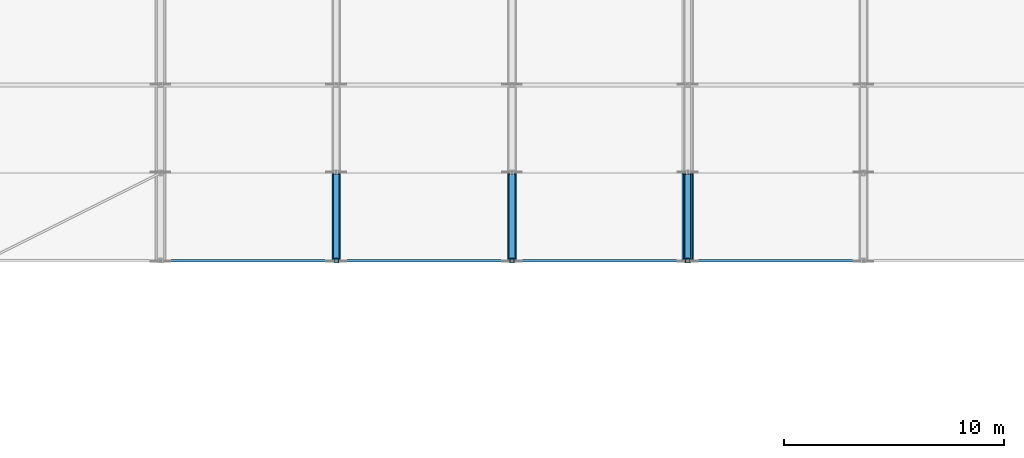
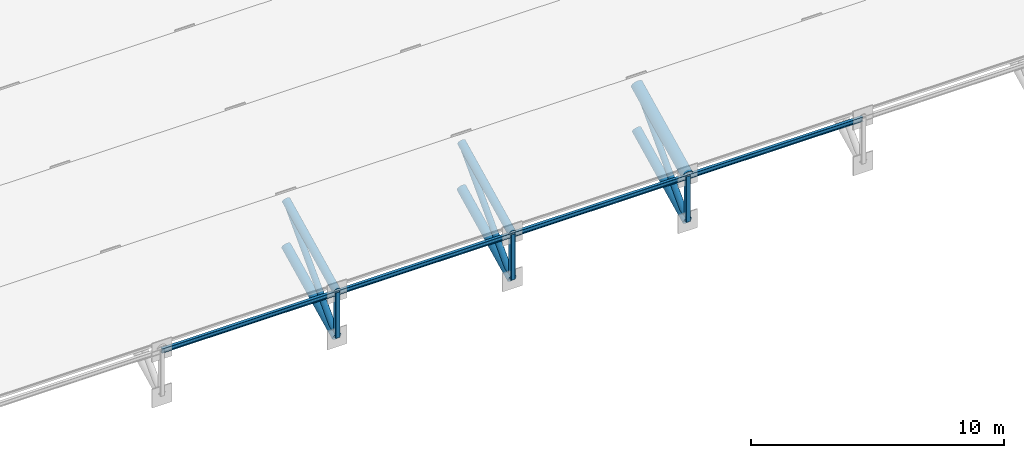
# One storey, part 6 of 98: 16 members.
"""IFC4 building model written with IfcOpenShell, lengths in metres."""

from ifc_helpers import new_model, si_unit, direction, frame, origin, origin_2d, place, context, subcontext, project, spatial, hollow_rectangle, hollow_circle, i_section, extrude, material, material_profile, profile_set, type_object, element, save


model = new_model("IFC4")

# Units and contexts
model_context = context("Model", 3, precision=1e-05, world=origin(), true_north=direction((0.0, 1.0)))
body_context = subcontext(model_context, "Body", "Model", "MODEL_VIEW")
ifc_project = project(units=[si_unit("LENGTHUNIT", "METRE"), si_unit("AREAUNIT", "SQUARE_METRE"), si_unit("VOLUMEUNIT", "CUBIC_METRE"), si_unit("PLANEANGLEUNIT", "RADIAN"), si_unit("MASSUNIT", "GRAM", prefix="KILO")], contexts=[model_context])

# Site, building, storey
site_placement = place(None, origin())
site = spatial("IfcSite", under=ifc_project, at=site_placement, CompositionType="ELEMENT")
building_placement = place(site_placement, origin())
building = spatial("IfcBuilding", under=site, at=building_placement, Name="Tlacozan Convention Centre", CompositionType="ELEMENT")
storey_placement = place(building_placement, frame((0.0, 0.0, 25.800048828125)))
storey = spatial("IfcBuildingStorey", under=building, at=storey_placement, Name="Roof", CompositionType="ELEMENT", Elevation=25.800048828125)

# Members
ifc_material_1 = material(Name="Steel ASTM A500 Grade C", Category="steel")
ifc_material_profile_1 = material_profile(ifc_material_1, hollow_circle(Radius=0.203125, WallThickness=0.015869140625, at=origin_2d()), Name="OC 406.4x15.9")
ifc_profile_set_1 = profile_set([ifc_material_profile_1], Name="Steel ASTM A500 Grade C")
member_type_1 = type_object("IfcMemberType", Name="Arch Bottom Chord OC 406.4x15.9", PredefinedType="CHORD", material=ifc_profile_set_1)
for number, where, z_axis, x_axis, name in (
    (1, (104.0, 62.0, -12.800048828125), (0.0, 0.897300183135, 0.441420866459), (-1.0, 0.0, 0.0), "V2A Roof Truss 14 Bottom Chord 1"),
    (2, (112.0, 62.0, -12.800048828125), (0.0, 0.897300183135, 0.441420866459), (-1.0, 0.0, 0.0), "V2A Roof Truss 15 Bottom Chord 1"),
    (3, (120.0, 62.0, -12.800048828125), (0.0, 0.897300183135, 0.441420866459), (-1.0, 0.0, 0.0), "V2A Roof Truss 16 Bottom Chord 1"),
):
    element("IfcMember", number, at=place(storey_placement, frame(where, z_axis=z_axis, x_axis=x_axis)), inside=storey, type_object=member_type_1, Name=name, PredefinedType="CHORD", context=body_context, shape_type="SweptSolid", body=[
        extrude(hollow_circle(Radius=0.203125, WallThickness=0.015869140625, at=origin_2d()), origin(), (0.0, 0.0, 1.0), 4.457763671875),
    ])
ifc_material_profile_2 = material_profile(ifc_material_1, hollow_circle(Radius=0.25390625, WallThickness=0.01904296875, at=origin_2d()), Name="OC 508.0x19.1")
ifc_profile_set_2 = profile_set([ifc_material_profile_2], Name="Steel ASTM A500 Grade C")
member_type_2 = type_object("IfcMemberType", Name="Arch Top Chord OC 508x19.1", PredefinedType="CHORD", material=ifc_profile_set_2)
member_placement = place(storey_placement, frame((120.0, 62.0, -10.60009765625), z_axis=(0.0, 0.897300183135, 0.441420866459), x_axis=(-1.0, 0.0, 0.0)))
element("IfcMember", 4, at=member_placement, inside=storey, type_object=member_type_2, Name="V2A Roof Truss 16 Top Chord 1", PredefinedType="CHORD", context=body_context, shape_type="SweptSolid", body=[
    extrude(hollow_circle(Radius=0.25390625, WallThickness=0.01904296875, at=origin_2d()), origin(), (0.0, 0.0, 1.0), 4.457763671875),
])
ifc_material_profile_3 = material_profile(ifc_material_1, hollow_circle(Radius=0.136474609375, WallThickness=0.0126953125, at=origin_2d()), Name="OC 273.1x12.7")
ifc_profile_set_3 = profile_set([ifc_material_profile_3], Name="Steel ASTM A500 Grade C")
member_type_3 = type_object("IfcMemberType", Name="Arch Web Diagonal OC 273.1x12.7", PredefinedType="BRACE", material=ifc_profile_set_3)
for number, where, z_axis, x_axis, name in (
    (5, (104.0, 62.0, -12.800048828125), (0.0, 0.69244032859, 0.721475149497), (-1.0, 0.0, 0.0), "V2A Roof Truss 14 Web Diagonal 1"),
    (6, (112.0, 62.0, -12.800048828125), (0.0, 0.69244032859, 0.721475149497), (-1.0, 0.0, 0.0), "V2A Roof Truss 15 Web Diagonal 1"),
    (7, (120.0, 62.0, -12.800048828125), (0.0, 0.69244032859, 0.721475149497), (-1.0, 0.0, 0.0), "V2A Roof Truss 16 Web Diagonal 1"),
):
    element("IfcMember", number, at=place(storey_placement, frame(where, z_axis=z_axis, x_axis=x_axis)), inside=storey, type_object=member_type_3, Name=name, PredefinedType="BRACE", context=body_context, shape_type="SweptSolid", body=[
        extrude(hollow_circle(Radius=0.136474609375, WallThickness=0.0126953125, at=origin_2d()), origin(), (0.0, 0.0, 1.0), 5.776611328125),
    ])
ifc_material_profile_4 = material_profile(ifc_material_1, hollow_rectangle(XDim=0.203125, YDim=0.203125, WallThickness=0.0126953125, InnerFilletRadius=0.0126953125, OuterFilletRadius=0.02490234375, at=origin_2d()), Name="OR 203x203x12.7")
ifc_profile_set_4 = profile_set([ifc_material_profile_4], Name="Steel ASTM A500 Grade C")
member_type_4 = type_object("IfcMemberType", Name="Arch Web Strut OR 203x203x12.7", PredefinedType="STRUT", material=ifc_profile_set_4)
for number, where, z_axis, x_axis, name in (
    (8, (104.0, 62.0, -12.800048828125), (0.0, 0.0, 1.0), (1.0, 0.0, 0.0), "V2A Roof Truss 14 Vertical Strut 1"),
    (9, (112.0, 62.0, -12.800048828125), (0.0, 0.0, 1.0), (1.0, 0.0, 0.0), "V2A Roof Truss 15 Vertical Strut 1"),
    (10, (120.0, 62.0, -12.800048828125), (0.0, 0.0, 1.0), (1.0, 0.0, 0.0), "V2A Roof Truss 16 Vertical Strut 1"),
):
    element("IfcMember", number, at=place(storey_placement, frame(where, z_axis=z_axis, x_axis=x_axis)), inside=storey, type_object=member_type_4, Name=name, PredefinedType="STRUT", context=body_context, shape_type="SweptSolid", body=[
        extrude(hollow_rectangle(XDim=0.203125, YDim=0.203125, WallThickness=0.0126953125, InnerFilletRadius=0.0126953125, OuterFilletRadius=0.02490234375, at=origin_2d()), origin(), (0.0, 0.0, 1.0), 2.199951171875),
    ])
ifc_material_profile_5 = material_profile(ifc_material_1, hollow_circle(Radius=0.177734375, WallThickness=0.015869140625, at=origin_2d()), Name="OC 355.6x15.9")
ifc_profile_set_5 = profile_set([ifc_material_profile_5], Name="Steel ASTM A500 Grade C")
member_type_5 = type_object("IfcMemberType", Name="Secondary Arch Chord OC 355.6x15.9", PredefinedType="CHORD", material=ifc_profile_set_5)
for number, where, z_axis, x_axis, name in (
    (11, (104.0, 62.0, -10.60009765625), (0.0, 0.897300183135, 0.441420866459), (-1.0, 0.0, 0.0), "V2A Roof Truss 14 Top Chord 1"),
    (12, (112.0, 62.0, -10.60009765625), (0.0, 0.897300183135, 0.441420866459), (-1.0, 0.0, 0.0), "V2A Roof Truss 15 Top Chord 1"),
):
    element("IfcMember", number, at=place(storey_placement, frame(where, z_axis=z_axis, x_axis=x_axis)), inside=storey, type_object=member_type_5, Name=name, PredefinedType="CHORD", context=body_context, shape_type="SweptSolid", body=[
        extrude(hollow_circle(Radius=0.177734375, WallThickness=0.015869140625, at=origin_2d()), origin(), (0.0, 0.0, 1.0), 4.457763671875),
    ])
ifc_material_2 = material(Name="Steel ASTM A992 Grade 50", Category="steel")
ifc_material_profile_6 = material_profile(ifc_material_2, i_section(OverallWidth=0.134033203125, OverallDepth=0.2099609375, WebThickness=0.00634765625, FlangeThickness=0.01025390625, FilletRadius=0.008056640625, at=origin_2d()), Name="IR 203x31.3")
ifc_profile_set_6 = profile_set([ifc_material_profile_6], Name="Steel ASTM A992 Grade 50")
member_type_6 = type_object("IfcMemberType", Name="Secondary Eave Purlin IR 203x31.3", PredefinedType="PURLIN", material=ifc_profile_set_6)
for number, where, z_axis, x_axis, name in (
    (13, (96.0, 62.0, -10.6650390625), (1.0, 0.0, 0.0), (0.0, 1.0, 0.0), "V2A Roof Truss Purlin 13.1"),
    (14, (104.0, 62.0, -10.6650390625), (1.0, 0.0, 0.0), (0.0, 1.0, 0.0), "V2A Roof Truss Purlin 14.1"),
    (15, (112.0, 62.0, -10.6650390625), (1.0, 0.0, 0.0), (0.0, 1.0, 0.0), "V2A Roof Truss Purlin 15.1"),
    (16, (120.0, 62.0, -10.6650390625), (1.0, 0.0, 0.0), (0.0, 1.0, 0.0), "V2A Roof Truss Purlin 16.1"),
):
    element("IfcMember", number, at=place(storey_placement, frame(where, z_axis=z_axis, x_axis=x_axis)), inside=storey, type_object=member_type_6, Name=name, PredefinedType="PURLIN", context=body_context, shape_type="SweptSolid", body=[
        extrude(i_section(OverallWidth=0.134033203125, OverallDepth=0.2099609375, WebThickness=0.00634765625, FlangeThickness=0.01025390625, FilletRadius=0.008056640625, at=origin_2d()), origin(), (0.0, 0.0, 1.0), 8.0),
    ])

save(model, "model.ifc")
